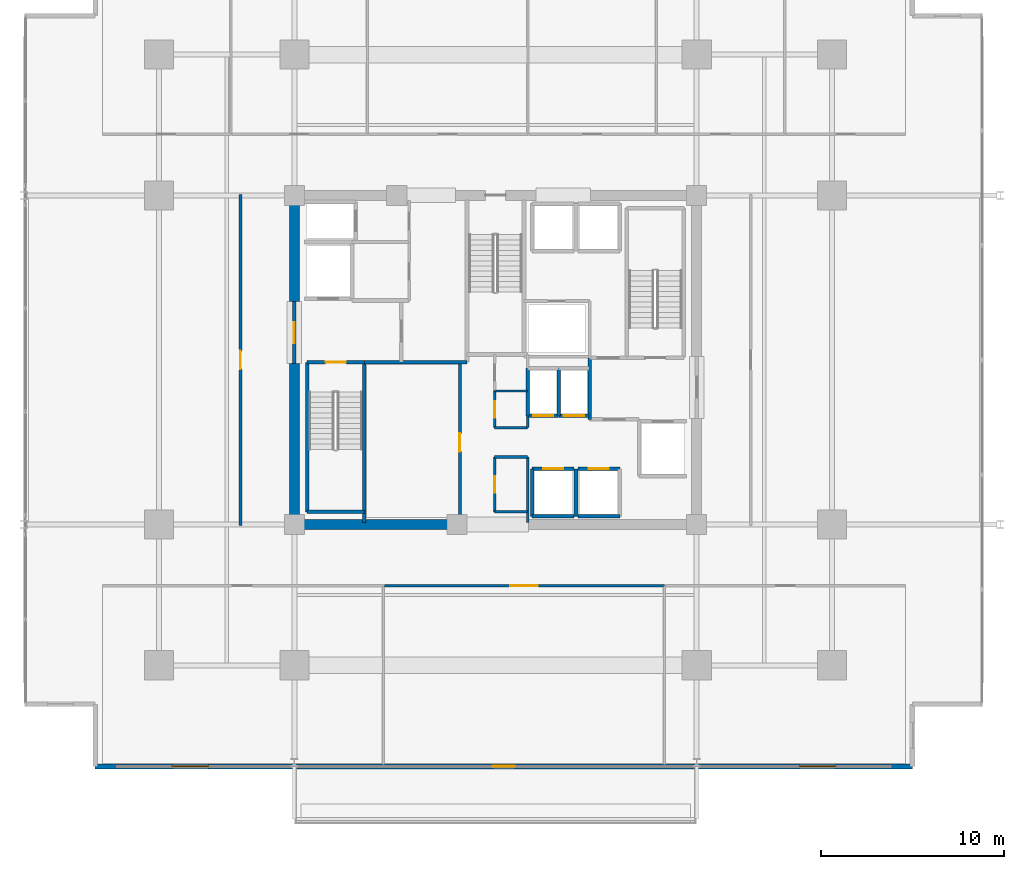
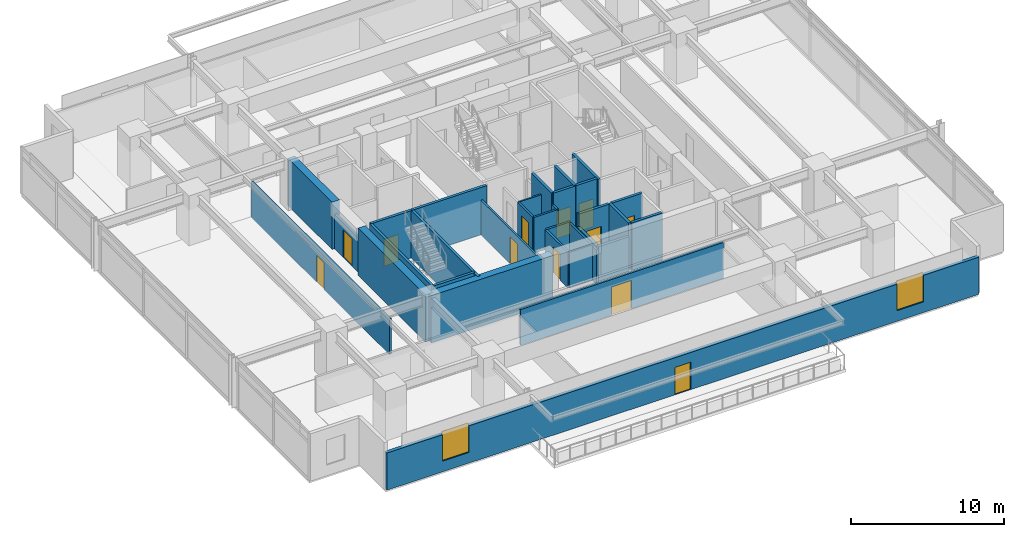
# One storey, part 14 of 21: 32 walls, 12 doors, 2 windows, 14 openings.
"""IFC4 building model written with IfcOpenShell, lengths in metres."""

from ifc_helpers import new_model, si_unit, direction, frame, frame_2d, origin, place, context, subcontext, project, spatial, rectangle, extrude, material, layer, layer_set, type_object, element, fill, save


model = new_model("IFC4")

# Units and contexts
model_context = context("Model", 3, precision=1e-05, world=origin(), true_north=direction((0.0, 1.0)))
body_context = subcontext(model_context, "Body", "Model", "MODEL_VIEW")
ifc_project = project(units=[si_unit("LENGTHUNIT", "METRE"), si_unit("AREAUNIT", "SQUARE_METRE"), si_unit("VOLUMEUNIT", "CUBIC_METRE"), si_unit("PLANEANGLEUNIT", "RADIAN"), si_unit("MASSUNIT", "GRAM", prefix="KILO")], contexts=[model_context])

# Site, building, storey
site_placement = place(None, origin())
site = spatial("IfcSite", under=ifc_project, at=site_placement, CompositionType="ELEMENT")
building_placement = place(site_placement, origin())
building = spatial("IfcBuilding", under=site, at=building_placement, Name="Kovane Verandah Tower", CompositionType="ELEMENT")
storey_placement = place(building_placement, frame((0.0, 0.0, 152.39990234375)))
storey = spatial("IfcBuildingStorey", under=building, at=storey_placement, Name="L35", CompositionType="ELEMENT", Elevation=152.39990234375)

# Walls
ifc_material_1 = material(Name="Fire-Rated Gypsum Stud Partition", Category="gypsum")
ifc_layer_1 = layer(ifc_material_1, 0.14990234375)
ifc_layer_set_1 = layer_set([ifc_layer_1], Name="Fire-Rated Gypsum Stud Partition")
wall_type_1 = type_object("IfcWallType", Name="WL-COR-150", PredefinedType="PARTITIONING", material=ifc_layer_set_1)
for number, where, z_axis, x_axis, name in (
    (1, (39.949951171875, 19.199951171875, 0.0), (0.0, 0.0, 1.0), (1.0, 0.0, 0.0), "L35 Central Core Strip South Wall"),
    (2, (39.949951171875, 22.199951171875, 0.0), (0.0, 0.0, 1.0), (1.0, 0.0, 0.0), "L35 Core Cross-Passage South Wall"),
    (3, (39.949951171875, 23.800048828125, 0.0), (0.0, 0.0, 1.0), (1.0, 0.0, 0.0), "L35 Core Cross-Passage North Wall"),
):
    element("IfcWall", number, at=place(storey_placement, frame(where, z_axis=z_axis, x_axis=x_axis)), inside=storey, type_object=wall_type_1, Name=name, PredefinedType="PARTITIONING", context=body_context, shape_type="SweptSolid", body=[
        extrude(rectangle(XDim=1.81005859375, YDim=0.14990234375, at=frame_2d((0.905029296875, 0.0))), origin(), (0.0, 0.0, 1.0), 2.85009765625),
    ])
wall_1_placement = place(storey_placement, frame((41.760009765625, 18.60009765625, 0.0), z_axis=(0.0, 0.0, 1.0), x_axis=(0.0, 1.0, 0.0)))
element("IfcWall", 4, at=wall_1_placement, inside=storey, type_object=wall_type_1, Name="L35 Central Core Strip Lower East Wall", PredefinedType="PARTITIONING", context=body_context, shape_type="SweptSolid", body=[
    extrude(rectangle(XDim=3.599853515625, YDim=0.14990234375, at=frame_2d((1.7998046875, 0.0))), origin(), (0.0, 0.0, 1.0), 2.755126953125),
])
wall_2_placement = place(storey_placement, frame((41.760009765625, 23.800048828125, 0.0), z_axis=(0.0, 0.0, 1.0), x_axis=(0.0, 1.0, 0.0)))
element("IfcWall", 5, at=wall_2_placement, inside=storey, type_object=wall_type_1, Name="L35 Central Core Strip Middle East Wall", PredefinedType="PARTITIONING", context=body_context, shape_type="SweptSolid", body=[
    extrude(rectangle(XDim=0.64990234375, YDim=0.14990234375, at=frame_2d((0.324951171875, 0.0))), origin(), (0.0, 0.0, 1.0), 2.85009765625),
])

# Wall, opening, door
wall_3_placement = place(storey_placement, frame((39.949951171875, 19.199951171875, 0.0), z_axis=(0.0, 0.0, 1.0), x_axis=(0.0, 1.0, 0.0)))
wall_3 = element("IfcWall", 6, at=wall_3_placement, inside=storey, type_object=wall_type_1, Name="L35 Male Toilet Partition", PredefinedType="PARTITIONING", context=body_context, shape_type="SweptSolid", body=[
    extrude(rectangle(XDim=3.0, YDim=0.14990234375, at=frame_2d((1.5, 0.0))), origin(), (0.0, 0.0, 1.0), 2.85009765625),
])
opening_1_placement = place(wall_3_placement, frame((1.050048828125, 0.0, 0.0)))
opening_1 = element("IfcOpeningElement", 7, at=opening_1_placement, cuts=wall_3, Name="Opening DR-L35-027", PredefinedType="OPENING", context=body_context, shape_type="SweptSolid", body=[
    extrude(rectangle(XDim=0.89990234375, YDim=2.10009765625, at=frame_2d((0.449951171875, 1.050048828125))), frame((0.0, 0.074951171875, 0.0), z_axis=(0.0, -1.0, 0.0), x_axis=(1.0, 0.0, 0.0)), (0.0, 0.0, 1.0), 0.14990234375),
])
ifc_material_2 = material(Name="Moisture-Resistant Laminate Washroom Door", Category="wood")
door_type_1 = type_object("IfcDoorType", Name="DR-WC-900", OperationType="SINGLE_SWING_LEFT", PredefinedType="DOOR", material=ifc_material_2)
door_1_placement = place(opening_1_placement, origin())
door_1 = element("IfcDoor", 8, at=door_1_placement, inside=storey, type_object=door_type_1, Name="L35 Male Toilet Door", OperationType="SINGLE_SWING_LEFT", OverallHeight=2.10009765625, OverallWidth=0.89990234375, PredefinedType="DOOR", context=body_context, shape_type="SweptSolid", body=[
    extrude(rectangle(XDim=0.89990234375, YDim=2.10009765625, at=frame_2d((0.449951171875, 1.050048828125))), frame((0.0, 0.02490234375, 0.0), z_axis=(0.0, -1.0, 0.0), x_axis=(1.0, 0.0, 0.0)), (0.0, 0.0, 1.0), 0.050048828125),
])
fill(opening_1, door_1)

wall_4_placement = place(storey_placement, frame((39.949951171875, 23.800048828125, 0.0), z_axis=(0.0, 0.0, 1.0), x_axis=(0.0, 1.0, 0.0)))
wall_4 = element("IfcWall", 9, at=wall_4_placement, inside=storey, type_object=wall_type_1, Name="L35 Female Toilet Partition", PredefinedType="PARTITIONING", context=body_context, shape_type="SweptSolid", body=[
    extrude(rectangle(XDim=2.0, YDim=0.14990234375, at=frame_2d((1.0, 0.0))), origin(), (0.0, 0.0, 1.0), 2.85009765625),
])
opening_2_placement = place(wall_4_placement, frame((0.550048828125, 0.0, 0.0)))
opening_2 = element("IfcOpeningElement", 10, at=opening_2_placement, cuts=wall_4, Name="Opening DR-L35-026", PredefinedType="OPENING", context=body_context, shape_type="SweptSolid", body=[
    extrude(rectangle(XDim=0.89990234375, YDim=2.10009765625, at=frame_2d((0.449951171875, 1.050048828125))), frame((0.0, 0.074951171875, 0.0), z_axis=(0.0, -1.0, 0.0), x_axis=(1.0, 0.0, 0.0)), (0.0, 0.0, 1.0), 0.14990234375),
])
door_2_placement = place(opening_2_placement, origin())
door_2 = element("IfcDoor", 11, at=door_2_placement, inside=storey, type_object=door_type_1, Name="L35 Female Toilet Door", OperationType="SINGLE_SWING_RIGHT", OverallHeight=2.10009765625, OverallWidth=0.89990234375, PredefinedType="DOOR", context=body_context, shape_type="SweptSolid", body=[
    extrude(rectangle(XDim=0.89990234375, YDim=2.10009765625, at=frame_2d((0.449951171875, 1.050048828125))), frame((0.0, 0.02490234375, 0.0), z_axis=(0.0, -1.0, 0.0), x_axis=(1.0, 0.0, 0.0)), (0.0, 0.0, 1.0), 0.050048828125),
])
fill(opening_2, door_2)

wall_5_placement = place(storey_placement, frame((38.050048828125, 18.60009765625, 0.0), z_axis=(0.0, 0.0, 1.0), x_axis=(0.0, 1.0, 0.0)))
wall_5 = element("IfcWall", 12, at=wall_5_placement, inside=storey, type_object=wall_type_1, Name="L35 Tenant Wellness and Archive Suite Partition", PredefinedType="PARTITIONING", context=body_context, shape_type="SweptSolid", body=[
    extrude(rectangle(XDim=8.77978515625, YDim=0.14990234375, at=frame_2d((4.389892578125, 0.0))), origin(), (0.0, 0.0, 1.0), 2.755126953125),
])
opening_3_placement = place(wall_5_placement, frame((3.889892578125, 0.0, 0.0)))
opening_3 = element("IfcOpeningElement", 13, at=opening_3_placement, cuts=wall_5, Name="Opening DR-L35-013", PredefinedType="OPENING", context=body_context, shape_type="SweptSolid", body=[
    extrude(rectangle(XDim=1.0, YDim=2.14990234375, at=frame_2d((0.5, 1.074951171875))), frame((0.0, 0.074951171875, 0.0), z_axis=(0.0, -1.0, 0.0), x_axis=(1.0, 0.0, 0.0)), (0.0, 0.0, 1.0), 0.14990234375),
])
ifc_material_3 = material(Name="FSC Spotted-Gum Timber Fire-Rated Office Door", Category="wood")
door_type_2 = type_object("IfcDoorType", Name="DR-OFF-1000", OperationType="SINGLE_SWING_LEFT", PredefinedType="DOOR", material=ifc_material_3)
door_3_placement = place(opening_3_placement, origin())
door_3 = element("IfcDoor", 14, at=door_3_placement, inside=storey, type_object=door_type_2, Name="L35 Tenant Wellness and Archive Suite Door", OperationType="SINGLE_SWING_RIGHT", OverallHeight=2.14990234375, OverallWidth=1.0, PredefinedType="DOOR", context=body_context, shape_type="SweptSolid", body=[
    extrude(rectangle(XDim=1.0, YDim=2.14990234375, at=frame_2d((0.5, 1.074951171875))), frame((0.0, 0.02490234375, 0.0), z_axis=(0.0, -1.0, 0.0), x_axis=(1.0, 0.0, 0.0)), (0.0, 0.0, 1.0), 0.050048828125),
])
fill(opening_3, door_3)

wall_6_placement = place(storey_placement, frame((33.939697265625, 15.14990234375, 0.0), z_axis=(0.0, 0.0, 1.0), x_axis=(1.0, 0.0, 0.0)))
wall_6 = element("IfcWall", 15, at=wall_6_placement, inside=storey, type_object=wall_type_1, Name="L35 Client Boardroom S2 Corridor Partition", PredefinedType="PARTITIONING", context=body_context, shape_type="SweptSolid", body=[
    extrude(rectangle(XDim=15.295654296875, YDim=0.14990234375, at=frame_2d((7.64794921875, 0.0))), origin(), (0.0, 0.0, 1.0), 2.85009765625),
])
opening_4_placement = place(wall_6_placement, frame((6.86279296875, 0.0, 0.0)))
opening_4 = element("IfcOpeningElement", 16, at=opening_4_placement, cuts=wall_6, Name="Opening DR-L35-022", PredefinedType="OPENING", context=body_context, shape_type="SweptSolid", body=[
    extrude(rectangle(XDim=1.5, YDim=2.25, at=frame_2d((0.75, 1.125))), frame((0.0, 0.074951171875, 0.0), z_axis=(0.0, -1.0, 0.0), x_axis=(1.0, 0.0, 0.0)), (0.0, 0.0, 1.0), 0.14990234375),
])
ifc_material_4 = material(Name="Glazed Timber Fire-Rated Double Door", Category="wood")
door_type_3 = type_object("IfcDoorType", Name="DR-CONF-1500", OperationType="DOUBLE_DOOR_SINGLE_SWING", PredefinedType="DOOR", material=ifc_material_4)
door_4_placement = place(opening_4_placement, origin())
door_4 = element("IfcDoor", 17, at=door_4_placement, inside=storey, type_object=door_type_3, Name="L35 Client Boardroom S2 Entrance Door", OperationType="DOUBLE_DOOR_SINGLE_SWING", OverallHeight=2.25, OverallWidth=1.5, PredefinedType="DOOR", context=body_context, shape_type="SweptSolid", body=[
    extrude(rectangle(XDim=1.5, YDim=2.25, at=frame_2d((0.75, 1.125))), frame((0.0, 0.02490234375, 0.0), z_axis=(0.0, -1.0, 0.0), x_axis=(1.0, 0.0, 0.0)), (0.0, 0.0, 1.0), 0.050048828125),
])
fill(opening_4, door_4)

wall_7_placement = place(storey_placement, frame((26.050048828125, 18.449951171875, 0.0), z_axis=(0.0, 0.0, 1.0), x_axis=(0.0, 1.0, 0.0)))
wall_7 = element("IfcWall", 18, at=wall_7_placement, inside=storey, type_object=wall_type_1, Name="L35 Focus Studio W1 Corridor Partition", PredefinedType="PARTITIONING", context=body_context, shape_type="SweptSolid", body=[
    extrude(rectangle(XDim=18.10009765625, YDim=0.14990234375, at=frame_2d((9.050048828125, 0.0))), origin(), (0.0, 0.0, 1.0), 2.85009765625),
])
opening_5_placement = place(wall_7_placement, frame((8.550048828125, 0.0, 0.0)))
opening_5 = element("IfcOpeningElement", 19, at=opening_5_placement, cuts=wall_7, Name="Opening DR-L35-028", PredefinedType="OPENING", context=body_context, shape_type="SweptSolid", body=[
    extrude(rectangle(XDim=1.0, YDim=2.14990234375, at=frame_2d((0.5, 1.074951171875))), frame((0.0, 0.074951171875, 0.0), z_axis=(0.0, -1.0, 0.0), x_axis=(1.0, 0.0, 0.0)), (0.0, 0.0, 1.0), 0.14990234375),
])
door_5_placement = place(opening_5_placement, origin())
door_5 = element("IfcDoor", 20, at=door_5_placement, inside=storey, type_object=door_type_2, Name="L35 Focus Studio W1 Entrance Door", OperationType="SINGLE_SWING_LEFT", OverallHeight=2.14990234375, OverallWidth=1.0, PredefinedType="DOOR", context=body_context, shape_type="SweptSolid", body=[
    extrude(rectangle(XDim=1.0, YDim=2.14990234375, at=frame_2d((0.5, 1.074951171875))), frame((0.0, 0.02490234375, 0.0), z_axis=(0.0, -1.0, 0.0), x_axis=(1.0, 0.0, 0.0)), (0.0, 0.0, 1.0), 0.050048828125),
])
fill(opening_5, door_5)

# Walls
ifc_material_5 = material(Name="Concrete C60/75", Category="concrete")
ifc_layer_2 = layer(ifc_material_5, 0.550048828125)
ifc_layer_set_2 = layer_set([ifc_layer_2], Name="Concrete C60/75")
wall_type_2 = type_object("IfcWallType", Name="WL-CORE-550", PredefinedType="SHEAR", material=ifc_layer_set_2)
wall_8_placement = place(storey_placement, frame((29.0, 18.5, 0.0), z_axis=(0.0, 0.0, 1.0), x_axis=(1.0, 0.0, 0.0)))
element("IfcWall", 21, at=wall_8_placement, inside=storey, type_object=wall_type_2, Name="L35 Core Shear Wall CS-1", PredefinedType="SHEAR", context=body_context, shape_type="SweptSolid", body=[
    extrude(rectangle(XDim=9.199951171875, YDim=0.550048828125, at=frame_2d((4.60009765625, 0.0))), origin(), (0.0, 0.0, 1.0), 3.775146484375),
])
wall_9_placement = place(storey_placement, frame((29.0, 18.5, 0.0), z_axis=(0.0, 0.0, 1.0), x_axis=(0.0, 1.0, 0.0)))
element("IfcWall", 22, at=wall_9_placement, inside=storey, type_object=wall_type_2, Name="L35 Core Shear Wall CW-1", PredefinedType="SHEAR", context=body_context, shape_type="SweptSolid", body=[
    extrude(rectangle(XDim=8.800048828125, YDim=0.550048828125, at=frame_2d((4.39990234375, 0.0))), origin(), (0.0, 0.0, 1.0), 3.775146484375),
])
wall_10_placement = place(storey_placement, frame((29.0, 30.699951171875, 0.0), z_axis=(0.0, 0.0, 1.0), x_axis=(0.0, 1.0, 0.0)))
element("IfcWall", 23, at=wall_10_placement, inside=storey, type_object=wall_type_2, Name="L35 Core Shear Wall CW-2", PredefinedType="SHEAR", context=body_context, shape_type="SweptSolid", body=[
    extrude(rectangle(XDim=5.800048828125, YDim=0.550048828125, at=frame_2d((2.89990234375, 0.0))), origin(), (0.0, 0.0, 1.0), 3.775146484375),
])

# Wall, opening, door
ifc_material_6 = material(Name="Concrete C45/55 Fire Wall", Category="concrete")
ifc_layer_3 = layer(ifc_material_6, 0.199951171875)
ifc_layer_set_3 = layer_set([ifc_layer_3], Name="Concrete C45/55 Fire Wall")
wall_type_3 = type_object("IfcWallType", Name="WL-FFL-200", PredefinedType="PARTITIONING", material=ifc_layer_set_3)
wall_11_placement = place(storey_placement, frame((29.0, 27.300048828125, 0.0), z_axis=(0.0, 0.0, 1.0), x_axis=(0.0, 1.0, 0.0)))
wall_11 = element("IfcWall", 24, at=wall_11_placement, inside=storey, type_object=wall_type_3, Name="W-L35-FFLW-OUT", PredefinedType="PARTITIONING", context=body_context, shape_type="SweptSolid", body=[
    extrude(rectangle(XDim=3.39990234375, YDim=0.199951171875, at=frame_2d((1.699951171875, 0.0))), origin(), (0.0, 0.0, 1.0), 2.755126953125),
])
opening_6_placement = place(wall_11_placement, frame((1.125, 0.0, 0.0)))
opening_6 = element("IfcOpeningElement", 25, at=opening_6_placement, cuts=wall_11, Name="Opening DR-L35-007", PredefinedType="OPENING", context=body_context, shape_type="SweptSolid", body=[
    extrude(rectangle(XDim=1.14990234375, YDim=2.199951171875, at=frame_2d((0.574951171875, 1.10009765625))), frame((0.0, 0.10009765625, 0.0), z_axis=(0.0, -1.0, 0.0), x_axis=(1.0, 0.0, 0.0)), (0.0, 0.0, 1.0), 0.199951171875),
])
ifc_material_7 = material(Name="Smoke-Sealed Firefighting Lobby Door", Category="steel")
door_type_4 = type_object("IfcDoorType", Name="DR-FFL-1150", OperationType="SINGLE_SWING_LEFT", PredefinedType="DOOR", material=ifc_material_7)
door_6_placement = place(opening_6_placement, origin())
door_6 = element("IfcDoor", 26, at=door_6_placement, inside=storey, type_object=door_type_4, Name="L35 West Firefighting Lobby Corridor Door", OperationType="SINGLE_SWING_RIGHT", OverallHeight=2.199951171875, OverallWidth=1.14990234375, PredefinedType="DOOR", context=body_context, shape_type="SweptSolid", body=[
    extrude(rectangle(XDim=1.14990234375, YDim=2.199951171875, at=frame_2d((0.574951171875, 1.10009765625))), frame((0.0, 0.02490234375, 0.0), z_axis=(0.0, -1.0, 0.0), x_axis=(1.0, 0.0, 0.0)), (0.0, 0.0, 1.0), 0.050048828125),
])
fill(opening_6, door_6)

# Walls
wall_12_placement = place(storey_placement, frame((32.820068359375, 27.3798828125, 0.0), z_axis=(0.0, 0.0, 1.0), x_axis=(1.0, 0.0, 0.0)))
element("IfcWall", 27, at=wall_12_placement, inside=storey, type_object=wall_type_3, Name="L35 West Firefighting Lobby South Fire Wall", PredefinedType="PARTITIONING", context=body_context, shape_type="SweptSolid", body=[
    extrude(rectangle(XDim=5.619873046875, YDim=0.199951171875, at=frame_2d((2.81005859375, 0.0))), origin(), (0.0, 0.0, 1.0), 3.775146484375),
])
wall_13_placement = place(storey_placement, frame((45.14990234375, 24.25, 0.0), z_axis=(0.0, 0.0, 1.0), x_axis=(0.0, 1.0, 0.0)))
element("IfcWall", 28, at=wall_13_placement, inside=storey, type_object=wall_type_3, Name="L35 East Firefighting Lobby West Fire Wall", PredefinedType="PARTITIONING", context=body_context, shape_type="SweptSolid", body=[
    extrude(rectangle(XDim=3.3701171875, YDim=0.199951171875, at=frame_2d((1.68505859375, 0.0))), origin(), (0.0, 0.0, 1.0), 3.775146484375),
])
ifc_material_8 = material(Name="Concrete C45/55 Lift Shaft Wall", Category="concrete")
ifc_layer_4 = layer(ifc_material_8, 0.199951171875)
ifc_layer_set_4 = layer_set([ifc_layer_4], Name="Concrete C45/55 Lift Shaft Wall")
wall_type_4 = type_object("IfcWallType", Name="WL-LIFT-200", PredefinedType="SOLIDWALL", material=ifc_layer_set_4)
wall_14_placement = place(storey_placement, frame((42.0, 18.949951171875, 0.0), z_axis=(0.0, 0.0, 1.0), x_axis=(1.0, 0.0, 0.0)))
element("IfcWall", 29, at=wall_14_placement, inside=storey, type_object=wall_type_4, Name="L35 Lift PL-M1 S Shaft Wall", PredefinedType="SOLIDWALL", context=body_context, shape_type="SweptSolid", body=[
    extrude(rectangle(XDim=2.300048828125, YDim=0.199951171875, at=frame_2d((1.14990234375, 0.0))), origin(), (0.0, 0.0, 1.0), 2.755126953125),
])

# Wall, opening, door
wall_15_placement = place(storey_placement, frame((44.300048828125, 21.550048828125, 0.0), z_axis=(0.0, 0.0, 1.0), x_axis=(-1.0, 0.0, 0.0)))
wall_15 = element("IfcWall", 30, at=wall_15_placement, inside=storey, type_object=wall_type_4, Name="L35 Lift PL-M1 N Shaft Wall", PredefinedType="SOLIDWALL", context=body_context, shape_type="SweptSolid", body=[
    extrude(rectangle(XDim=2.300048828125, YDim=0.199951171875, at=frame_2d((1.14990234375, 0.0))), origin(), (0.0, 0.0, 1.0), 3.775146484375),
])
opening_7_placement = place(wall_15_placement, frame((0.60009765625, 0.0, 0.0)))
opening_7 = element("IfcOpeningElement", 31, at=opening_7_placement, cuts=wall_15, Name="Opening LD-L35-004", PredefinedType="OPENING", context=body_context, shape_type="SweptSolid", body=[
    extrude(rectangle(XDim=1.10009765625, YDim=2.199951171875, at=frame_2d((0.550048828125, 1.10009765625))), frame((0.0, 0.10009765625, 0.0), z_axis=(0.0, -1.0, 0.0), x_axis=(1.0, 0.0, 0.0)), (0.0, 0.0, 1.0), 0.199951171875),
])
ifc_material_9 = material(Name="Brushed Stainless Steel Sliding Lift Landing Door", Category="steel")
door_type_5 = type_object("IfcDoorType", Name="DR-LIFT-1100", OperationType="SLIDING_TO_RIGHT", PredefinedType="DOOR", material=ifc_material_9)
door_7_placement = place(opening_7_placement, origin())
door_7 = element("IfcDoor", 32, at=door_7_placement, inside=storey, type_object=door_type_5, Name="L35 Lift PL-M1 Sliding Landing Door", OperationType="SLIDING_TO_RIGHT", OverallHeight=2.199951171875, OverallWidth=1.10009765625, PredefinedType="DOOR", context=body_context, shape_type="SweptSolid", body=[
    extrude(rectangle(XDim=1.10009765625, YDim=2.199951171875, at=frame_2d((0.550048828125, 1.10009765625))), frame((0.0, 0.02490234375, 0.0), z_axis=(0.0, -1.0, 0.0), x_axis=(1.0, 0.0, 0.0)), (0.0, 0.0, 1.0), 0.050048828125),
])
fill(opening_7, door_7)

# Walls
wall_16_placement = place(storey_placement, frame((42.0, 21.550048828125, 0.0), z_axis=(0.0, 0.0, 1.0), x_axis=(0.0, -1.0, 0.0)))
element("IfcWall", 33, at=wall_16_placement, inside=storey, type_object=wall_type_4, Name="L35 Lift PL-M1 W Shaft Wall", PredefinedType="SOLIDWALL", context=body_context, shape_type="SweptSolid", body=[
    extrude(rectangle(XDim=2.60009765625, YDim=0.199951171875, at=frame_2d((1.300048828125, 0.0))), origin(), (0.0, 0.0, 1.0), 2.755126953125),
])
wall_17_placement = place(storey_placement, frame((44.39990234375, 18.949951171875, 0.0), z_axis=(0.0, 0.0, 1.0), x_axis=(0.0, 1.0, 0.0)))
element("IfcWall", 34, at=wall_17_placement, inside=storey, type_object=wall_type_4, Name="L35 Lift PL-M1 and PL-M2 Shared Shaft Wall", PredefinedType="SOLIDWALL", context=body_context, shape_type="SweptSolid", body=[
    extrude(rectangle(XDim=2.60009765625, YDim=0.199951171875, at=frame_2d((1.300048828125, 0.0))), origin(), (0.0, 0.0, 1.0), 3.775146484375),
])
wall_18_placement = place(storey_placement, frame((44.5, 18.949951171875, 0.0), z_axis=(0.0, 0.0, 1.0), x_axis=(1.0, 0.0, 0.0)))
element("IfcWall", 35, at=wall_18_placement, inside=storey, type_object=wall_type_4, Name="L35 Lift PL-M2 S Shaft Wall", PredefinedType="SOLIDWALL", context=body_context, shape_type="SweptSolid", body=[
    extrude(rectangle(XDim=2.300048828125, YDim=0.199951171875, at=frame_2d((1.14990234375, 0.0))), origin(), (0.0, 0.0, 1.0), 3.775146484375),
])

# Wall, opening, door
wall_19_placement = place(storey_placement, frame((46.800048828125, 21.550048828125, 0.0), z_axis=(0.0, 0.0, 1.0), x_axis=(-1.0, 0.0, 0.0)))
wall_19 = element("IfcWall", 36, at=wall_19_placement, inside=storey, type_object=wall_type_4, Name="L35 Lift PL-M2 N Shaft Wall", PredefinedType="SOLIDWALL", context=body_context, shape_type="SweptSolid", body=[
    extrude(rectangle(XDim=2.300048828125, YDim=0.199951171875, at=frame_2d((1.14990234375, 0.0))), origin(), (0.0, 0.0, 1.0), 3.775146484375),
])
opening_8_placement = place(wall_19_placement, frame((0.60009765625, 0.0, 0.0)))
opening_8 = element("IfcOpeningElement", 37, at=opening_8_placement, cuts=wall_19, Name="Opening LD-L35-005", PredefinedType="OPENING", context=body_context, shape_type="SweptSolid", body=[
    extrude(rectangle(XDim=1.10009765625, YDim=2.199951171875, at=frame_2d((0.550048828125, 1.10009765625))), frame((0.0, 0.10009765625, 0.0), z_axis=(0.0, -1.0, 0.0), x_axis=(1.0, 0.0, 0.0)), (0.0, 0.0, 1.0), 0.199951171875),
])
door_8_placement = place(opening_8_placement, origin())
door_8 = element("IfcDoor", 38, at=door_8_placement, inside=storey, type_object=door_type_5, Name="L35 Lift PL-M2 Sliding Landing Door", OperationType="SLIDING_TO_RIGHT", OverallHeight=2.199951171875, OverallWidth=1.10009765625, PredefinedType="DOOR", context=body_context, shape_type="SweptSolid", body=[
    extrude(rectangle(XDim=1.10009765625, YDim=2.199951171875, at=frame_2d((0.550048828125, 1.10009765625))), frame((0.0, 0.02490234375, 0.0), z_axis=(0.0, -1.0, 0.0), x_axis=(1.0, 0.0, 0.0)), (0.0, 0.0, 1.0), 0.050048828125),
])
fill(opening_8, door_8)

wall_20_placement = place(storey_placement, frame((41.760009765625, 24.449951171875, 0.0), z_axis=(0.0, 0.0, 1.0), x_axis=(1.0, 0.0, 0.0)))
wall_20 = element("IfcWall", 39, at=wall_20_placement, inside=storey, type_object=wall_type_4, Name="L35 Lift PL-M3 S Shaft Wall", PredefinedType="SOLIDWALL", context=body_context, shape_type="SweptSolid", body=[
    extrude(rectangle(XDim=1.679931640625, YDim=0.199951171875, at=frame_2d((0.83984375, 0.0))), origin(), (0.0, 0.0, 1.0), 3.775146484375),
])
opening_9_placement = place(wall_20_placement, frame((0.2900390625, 0.0, 0.0)))
opening_9 = element("IfcOpeningElement", 40, at=opening_9_placement, cuts=wall_20, Name="Opening LD-L35-006", PredefinedType="OPENING", context=body_context, shape_type="SweptSolid", body=[
    extrude(rectangle(XDim=1.10009765625, YDim=2.199951171875, at=frame_2d((0.550048828125, 1.10009765625))), frame((0.0, 0.10009765625, 0.0), z_axis=(0.0, -1.0, 0.0), x_axis=(1.0, 0.0, 0.0)), (0.0, 0.0, 1.0), 0.199951171875),
])
door_9_placement = place(opening_9_placement, origin())
door_9 = element("IfcDoor", 41, at=door_9_placement, inside=storey, type_object=door_type_5, Name="L35 Lift PL-M3 Sliding Landing Door", OperationType="SLIDING_TO_RIGHT", OverallHeight=2.199951171875, OverallWidth=1.10009765625, PredefinedType="DOOR", context=body_context, shape_type="SweptSolid", body=[
    extrude(rectangle(XDim=1.10009765625, YDim=2.199951171875, at=frame_2d((0.550048828125, 1.10009765625))), frame((0.0, 0.02490234375, 0.0), z_axis=(0.0, -1.0, 0.0), x_axis=(1.0, 0.0, 0.0)), (0.0, 0.0, 1.0), 0.050048828125),
])
fill(opening_9, door_9)

# Walls
for number, where, z_axis, x_axis, name in (
    (42, (41.760009765625, 27.050048828125, 0.0), (0.0, 0.0, 1.0), (0.0, -1.0, 0.0), "L35 Lift PL-M3 W Shaft Wall"),
    (43, (43.449951171875, 24.449951171875, 0.0), (0.0, 0.0, 1.0), (0.0, 1.0, 0.0), "L35 Lift PL-M3 and PL-M4 Shared Shaft Wall"),
):
    element("IfcWall", number, at=place(storey_placement, frame(where, z_axis=z_axis, x_axis=x_axis)), inside=storey, type_object=wall_type_4, Name=name, PredefinedType="SOLIDWALL", context=body_context, shape_type="SweptSolid", body=[
        extrude(rectangle(XDim=2.60009765625, YDim=0.199951171875, at=frame_2d((1.300048828125, 0.0))), origin(), (0.0, 0.0, 1.0), 3.775146484375),
    ])

# Wall, opening, door
wall_21_placement = place(storey_placement, frame((43.4599609375, 24.449951171875, 0.0), z_axis=(0.0, 0.0, 1.0), x_axis=(1.0, 0.0, 0.0)))
wall_21 = element("IfcWall", 44, at=wall_21_placement, inside=storey, type_object=wall_type_4, Name="L35 Lift PL-M4 S Shaft Wall", PredefinedType="SOLIDWALL", context=body_context, shape_type="SweptSolid", body=[
    extrude(rectangle(XDim=1.66015625, YDim=0.199951171875, at=frame_2d((0.830078125, 0.0))), origin(), (0.0, 0.0, 1.0), 3.775146484375),
])
opening_10_placement = place(wall_21_placement, frame((0.280029296875, 0.0, 0.0)))
opening_10 = element("IfcOpeningElement", 45, at=opening_10_placement, cuts=wall_21, Name="Opening LD-L35-007", PredefinedType="OPENING", context=body_context, shape_type="SweptSolid", body=[
    extrude(rectangle(XDim=1.10009765625, YDim=2.199951171875, at=frame_2d((0.550048828125, 1.10009765625))), frame((0.0, 0.10009765625, 0.0), z_axis=(0.0, -1.0, 0.0), x_axis=(1.0, 0.0, 0.0)), (0.0, 0.0, 1.0), 0.199951171875),
])
door_10_placement = place(opening_10_placement, origin())
door_10 = element("IfcDoor", 46, at=door_10_placement, inside=storey, type_object=door_type_5, Name="L35 Lift PL-M4 Sliding Landing Door", OperationType="SLIDING_TO_RIGHT", OverallHeight=2.199951171875, OverallWidth=1.10009765625, PredefinedType="DOOR", context=body_context, shape_type="SweptSolid", body=[
    extrude(rectangle(XDim=1.10009765625, YDim=2.199951171875, at=frame_2d((0.550048828125, 1.10009765625))), frame((0.0, 0.02490234375, 0.0), z_axis=(0.0, -1.0, 0.0), x_axis=(1.0, 0.0, 0.0)), (0.0, 0.0, 1.0), 0.050048828125),
])
fill(opening_10, door_10)

# Walls
ifc_material_10 = material(Name="Acoustic Fire-Rated Gypsum Partition", Category="gypsum")
ifc_layer_5 = layer(ifc_material_10, 0.1201171875)
ifc_layer_set_5 = layer_set([ifc_layer_5], Name="Acoustic Fire-Rated Gypsum Partition")
wall_type_5 = type_object("IfcWallType", Name="WL-PART-120", PredefinedType="PARTITIONING", material=ifc_layer_set_5)
wall_22_placement = place(storey_placement, frame((39.949951171875, 25.800048828125, 0.0), z_axis=(0.0, 0.0, 1.0), x_axis=(1.0, 0.0, 0.0)))
element("IfcWall", 47, at=wall_22_placement, inside=storey, type_object=wall_type_5, Name="L35 Central Core Strip Upper Dividing Partition", PredefinedType="PARTITIONING", context=body_context, shape_type="SweptSolid", body=[
    extrude(rectangle(XDim=1.81005859375, YDim=0.1201171875, at=frame_2d((0.905029296875, 0.0))), origin(), (0.0, 0.0, 1.0), 2.85009765625),
])
ifc_material_11 = material(Name="Concrete C45/55", Category="concrete")
ifc_layer_6 = layer(ifc_material_11, 0.199951171875)
ifc_layer_set_6 = layer_set([ifc_layer_6], Name="Concrete C45/55")
wall_type_6 = type_object("IfcWallType", Name="WL-SHAFT-200", PredefinedType="SOLIDWALL", material=ifc_layer_set_6)
wall_23_placement = place(storey_placement, frame((29.699951171875, 19.199951171875, 0.0), z_axis=(0.0, 0.0, 1.0), x_axis=(0.0, 1.0, 0.0)))
element("IfcWall", 48, at=wall_23_placement, inside=storey, type_object=wall_type_6, Name="W-L35-ST01-W", PredefinedType="SOLIDWALL", context=body_context, shape_type="SweptSolid", body=[
    extrude(rectangle(XDim=8.150146484375, YDim=0.199951171875, at=frame_2d((4.0751953125, 0.0))), origin(), (0.0, 0.0, 1.0), 3.775146484375),
])
wall_24_placement = place(storey_placement, frame((29.699951171875, 19.199951171875, 0.0), z_axis=(0.0, 0.0, 1.0), x_axis=(1.0, 0.0, 0.0)))
element("IfcWall", 49, at=wall_24_placement, inside=storey, type_object=wall_type_6, Name="W-L35-ST01-S", PredefinedType="SOLIDWALL", context=body_context, shape_type="SweptSolid", body=[
    extrude(rectangle(XDim=3.1201171875, YDim=0.199951171875, at=frame_2d((1.56005859375, 0.0))), origin(), (0.0, 0.0, 1.0), 3.775146484375),
])
wall_25_placement = place(storey_placement, frame((32.820068359375, 18.60009765625, 0.0), z_axis=(0.0, 0.0, 1.0), x_axis=(0.0, 1.0, 0.0)))
element("IfcWall", 50, at=wall_25_placement, inside=storey, type_object=wall_type_6, Name="W-L35-ST01-E", PredefinedType="SOLIDWALL", context=body_context, shape_type="SweptSolid", body=[
    extrude(rectangle(XDim=8.77978515625, YDim=0.199951171875, at=frame_2d((4.389892578125, 0.0))), origin(), (0.0, 0.0, 1.0), 3.775146484375),
])

# Wall, opening, door
wall_26_placement = place(storey_placement, frame((29.699951171875, 27.3798828125, 0.0), z_axis=(0.0, 0.0, 1.0), x_axis=(1.0, 0.0, 0.0)))
wall_26 = element("IfcWall", 51, at=wall_26_placement, inside=storey, type_object=wall_type_6, Name="W-L35-ST01-N", PredefinedType="SOLIDWALL", context=body_context, shape_type="SweptSolid", body=[
    extrude(rectangle(XDim=3.1201171875, YDim=0.199951171875, at=frame_2d((1.56005859375, 0.0))), origin(), (0.0, 0.0, 1.0), 3.775146484375),
])
opening_11_placement = place(wall_26_placement, frame((1.010009765625, 0.0, 0.0)))
opening_11 = element("IfcOpeningElement", 52, at=opening_11_placement, cuts=wall_26, Name="Opening DR-L35-009", PredefinedType="OPENING", context=body_context, shape_type="SweptSolid", body=[
    extrude(rectangle(XDim=1.10009765625, YDim=2.14990234375, at=frame_2d((0.550048828125, 1.074951171875))), frame((0.0, 0.10009765625, 0.0), z_axis=(0.0, -1.0, 0.0), x_axis=(1.0, 0.0, 0.0)), (0.0, 0.0, 1.0), 0.199951171875),
])
ifc_material_12 = material(Name="Fire-Rated Steel Exit Door", Category="steel")
door_type_6 = type_object("IfcDoorType", Name="DR-STAIR-1100", OperationType="SINGLE_SWING_LEFT", PredefinedType="DOOR", material=ifc_material_12)
door_11_placement = place(opening_11_placement, origin())
door_11 = element("IfcDoor", 53, at=door_11_placement, inside=storey, type_object=door_type_6, Name="L35 ST-01 Fire Exit Stair Door", OperationType="SINGLE_SWING_RIGHT", OverallHeight=2.14990234375, OverallWidth=1.10009765625, PredefinedType="DOOR", context=body_context, shape_type="SweptSolid", body=[
    extrude(rectangle(XDim=1.10009765625, YDim=2.14990234375, at=frame_2d((0.550048828125, 1.074951171875))), frame((0.0, 0.02490234375, 0.0), z_axis=(0.0, -1.0, 0.0), x_axis=(1.0, 0.0, 0.0)), (0.0, 0.0, 1.0), 0.050048828125),
])
fill(opening_11, door_11)

# Wall, openings, door, windows
ifc_material_13 = material(Name="Concrete C45/55 Insulated Spandrel Wall", Category="concrete")
ifc_layer_7 = layer(ifc_material_13, 0.260009765625)
ifc_layer_set_7 = layer_set([ifc_layer_7], Name="Concrete C45/55 Insulated Spandrel Wall")
wall_type_7 = type_object("IfcWallType", Name="WL-SPANDREL-260", PredefinedType="PARAPET", material=ifc_layer_set_7)
wall_27_placement = place(storey_placement, frame((18.10400390625, 5.272705078125, 0.0), z_axis=(0.0, 0.0, 1.0), x_axis=(1.0, 0.0, 0.0)))
wall_27 = element("IfcWall", 54, at=wall_27_placement, inside=storey, type_object=wall_type_7, Name="L35 S Verandah Access Facade Wall", PredefinedType="PARAPET", context=body_context, shape_type="SweptSolid", body=[
    extrude(rectangle(XDim=44.701904296875, YDim=0.260009765625, at=frame_2d((22.35107421875, 0.0))), origin(), (0.0, 0.0, 1.0), 2.97021484375),
])
opening_12_placement = place(wall_27_placement, frame((4.199951171875, 0.0, 0.85009765625)))
opening_12 = element("IfcOpeningElement", 55, at=opening_12_placement, cuts=wall_27, Name="Opening W-04", PredefinedType="OPENING", context=body_context, shape_type="SweptSolid", body=[
    extrude(rectangle(XDim=2.0, YDim=2.300048828125, at=frame_2d((1.0, 1.14990234375))), frame((0.0, 0.1298828125, 0.0), z_axis=(0.0, -1.0, 0.0), x_axis=(1.0, 0.0, 0.0)), (0.0, 0.0, 1.0), 0.260009765625),
])
opening_13_placement = place(wall_27_placement, frame((21.7509765625, 0.0, 0.0)))
opening_13 = element("IfcOpeningElement", 56, at=opening_13_placement, cuts=wall_27, Name="Opening DR-L35-002", PredefinedType="OPENING", context=body_context, shape_type="SweptSolid", body=[
    extrude(rectangle(XDim=1.199951171875, YDim=2.199951171875, at=frame_2d((0.60009765625, 1.10009765625))), frame((0.0, 0.1298828125, 0.0), z_axis=(0.0, -1.0, 0.0), x_axis=(1.0, 0.0, 0.0)), (0.0, 0.0, 1.0), 0.260009765625),
])
opening_14_placement = place(wall_27_placement, frame((38.501953125, 0.0, 0.85009765625)))
opening_14 = element("IfcOpeningElement", 57, at=opening_14_placement, cuts=wall_27, Name="Opening W-04", PredefinedType="OPENING", context=body_context, shape_type="SweptSolid", body=[
    extrude(rectangle(XDim=2.0, YDim=2.300048828125, at=frame_2d((1.0, 1.14990234375))), frame((0.0, 0.1298828125, 0.0), z_axis=(0.0, -1.0, 0.0), x_axis=(1.0, 0.0, 0.0)), (0.0, 0.0, 1.0), 0.260009765625),
])
ifc_material_14 = material(Name="Cyclone-Rated Glazed Balcony Leaf Door", Category="aluminium")
door_type_7 = type_object("IfcDoorType", Name="DR-BAL-1200x2200", OperationType="SINGLE_SWING_LEFT", PredefinedType="DOOR", material=ifc_material_14)
door_12_placement = place(opening_13_placement, origin())
door_12 = element("IfcDoor", 58, at=door_12_placement, inside=storey, type_object=door_type_7, Name="L35 S Planted Balcony Access Door", OperationType="SINGLE_SWING_LEFT", OverallHeight=2.199951171875, OverallWidth=1.199951171875, PredefinedType="DOOR", context=body_context, shape_type="SweptSolid", body=[
    extrude(rectangle(XDim=1.199951171875, YDim=2.199951171875, at=frame_2d((0.60009765625, 1.10009765625))), frame((0.0, 0.02490234375, 0.0), z_axis=(0.0, -1.0, 0.0), x_axis=(1.0, 0.0, 0.0)), (0.0, 0.0, 1.0), 0.050048828125),
])
fill(opening_13, door_12)
ifc_material_15 = material(Name="Clear Low-E Laminated Double Glazing in Anodised Frame", Category="glass")
window_type = type_object("IfcWindowType", Name="WN-FIXED-2000x2300", PartitioningType="SINGLE_PANEL", PredefinedType="WINDOW", material=ifc_material_15)
window_1_placement = place(opening_12_placement, origin())
window_1 = element("IfcWindow", 59, at=window_1_placement, inside=storey, type_object=window_type, Name="L35 S Verandah View Window 1", OverallHeight=2.300048828125, OverallWidth=2.0, PartitioningType="SINGLE_PANEL", PredefinedType="WINDOW", context=body_context, shape_type="SweptSolid", body=[
    extrude(rectangle(XDim=2.0, YDim=2.300048828125, at=frame_2d((1.0, 1.14990234375))), frame((0.0, 0.030029296875, 0.0), z_axis=(0.0, -1.0, 0.0), x_axis=(1.0, 0.0, 0.0)), (0.0, 0.0, 1.0), 0.06005859375),
])
fill(opening_12, window_1)
window_2_placement = place(opening_14_placement, origin())
window_2 = element("IfcWindow", 60, at=window_2_placement, inside=storey, type_object=window_type, Name="L35 S Verandah View Window 2", OverallHeight=2.300048828125, OverallWidth=2.0, PartitioningType="SINGLE_PANEL", PredefinedType="WINDOW", context=body_context, shape_type="SweptSolid", body=[
    extrude(rectangle(XDim=2.0, YDim=2.300048828125, at=frame_2d((1.0, 1.14990234375))), frame((0.0, 0.030029296875, 0.0), z_axis=(0.0, -1.0, 0.0), x_axis=(1.0, 0.0, 0.0)), (0.0, 0.0, 1.0), 0.06005859375),
])
fill(opening_14, window_2)

save(model, "model.ifc")
